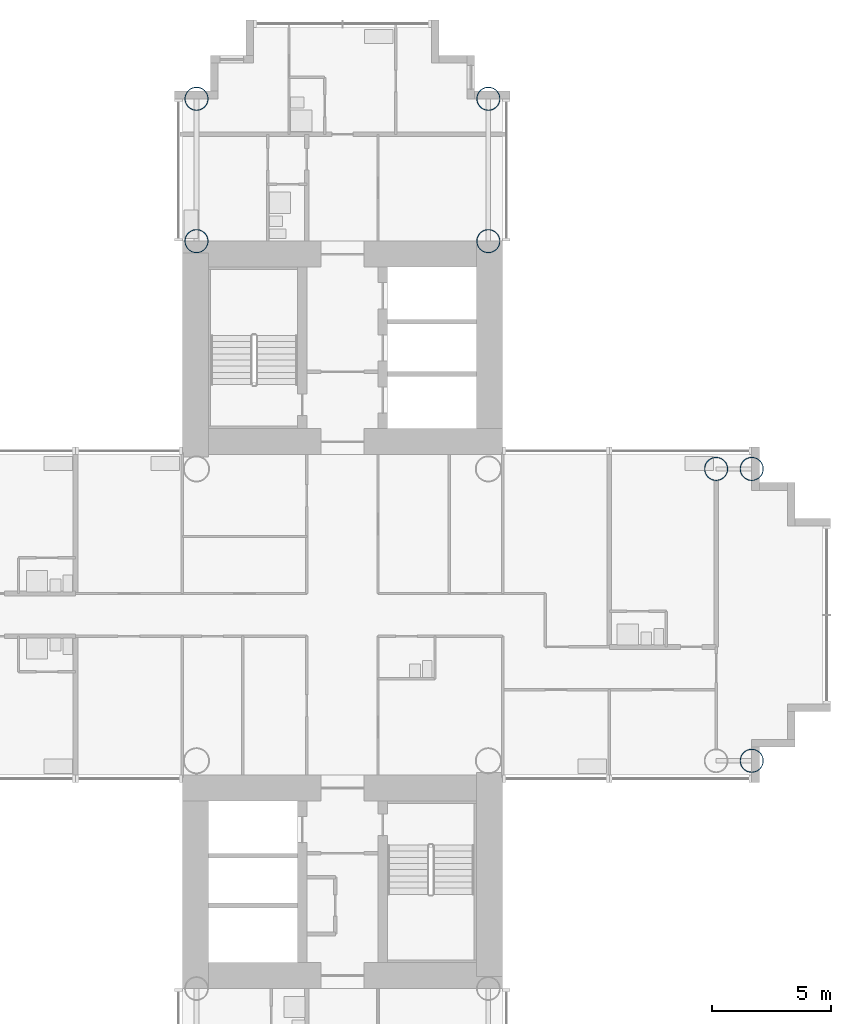
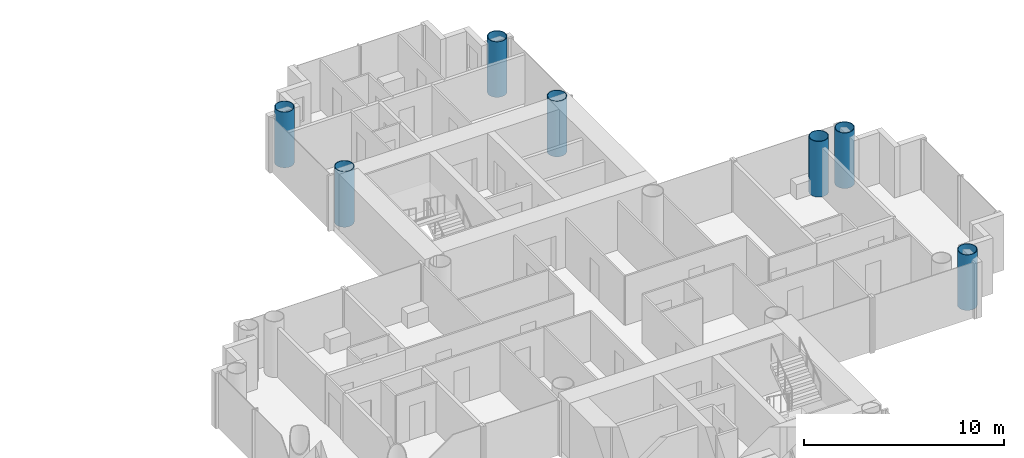
# One storey, part 2 of 21: 7 columns.
"""IFC4 building model written with IfcOpenShell, lengths in metres."""

from ifc_helpers import new_model, si_unit, direction, frame, origin, origin_2d, place, context, subcontext, project, spatial, hollow_circle, extrude, material, material_profile, profile_set, type_object, element, save


model = new_model("IFC4")

# Units and contexts
model_context = context("Model", 3, precision=1e-05, world=origin(), true_north=direction((0.0, 1.0)))
body_context = subcontext(model_context, "Body", "Model", "MODEL_VIEW")
ifc_project = project(units=[si_unit("LENGTHUNIT", "METRE"), si_unit("AREAUNIT", "SQUARE_METRE"), si_unit("VOLUMEUNIT", "CUBIC_METRE"), si_unit("PLANEANGLEUNIT", "RADIAN"), si_unit("MASSUNIT", "GRAM", prefix="KILO")], contexts=[model_context])

# Site, building, storey
site_placement = place(None, origin())
site = spatial("IfcSite", under=ifc_project, at=site_placement, CompositionType="ELEMENT")
building_placement = place(site_placement, origin())
building = spatial("IfcBuilding", under=site, at=building_placement, Name="Ipe Terrace Towers", CompositionType="ELEMENT")
storey_placement = place(building_placement, frame((0.0, 0.0, 34.699951171875)))
storey = spatial("IfcBuildingStorey", under=building, at=storey_placement, Name="L08", CompositionType="ELEMENT", Elevation=34.699951171875)

# Columns
ifc_material = material(Name="Steel S355 tube with Concrete C60/75 fill", Category="concrete")
ifc_material_profile = material_profile(ifc_material, hollow_circle(Radius=0.5, WallThickness=0.035888671875, at=origin_2d()), Name="CHS-1000x36")
ifc_profile_set = profile_set([ifc_material_profile], Name="Steel S355 tube with Concrete C60/75 fill")
column_type = type_object("IfcColumnType", Name="CH01 COLUMN CHS-1000x36", PredefinedType="COLUMN", material=ifc_profile_set)
for number, where, z_axis, x_axis, name in (
    (1, (42.14990234375, 15.75, 0.0), (0.0, 0.0, 1.0), (1.0, 0.0, 0.0), "Column T2-C-A01"),
    (2, (29.85009765625, 15.75, 0.0), (0.0, 0.0, 1.0), (1.0, 0.0, 0.0), "Column T2-C-A02"),
    (3, (42.14990234375, 21.75, 0.0), (0.0, 0.0, 1.0), (1.0, 0.0, 0.0), "Column T2-C-A03"),
    (4, (29.85009765625, 21.75, 0.0), (0.0, 0.0, 1.0), (1.0, 0.0, 0.0), "Column T2-C-A04"),
    (5, (51.75, 6.14990234375, 0.0), (0.0, 0.0, 1.0), (1.0, 0.0, 0.0), "Column T2-C-D04"),
    (6, (53.25, -6.14990234375, 0.0), (0.0, 0.0, 1.0), (1.0, 0.0, 0.0), "Column T2-C-D05"),
    (7, (53.25, 6.14990234375, 0.0), (0.0, 0.0, 1.0), (1.0, 0.0, 0.0), "Column T2-C-D06"),
):
    element("IfcColumn", number, at=place(storey_placement, frame(where, z_axis=z_axis, x_axis=x_axis)), inside=storey, type_object=column_type, Name=name, PredefinedType="COLUMN", context=body_context, shape_type="SweptSolid", body=[
        extrude(hollow_circle(Radius=0.5, WallThickness=0.035888671875, at=origin_2d()), origin(), (0.0, 0.0, 1.0), 3.400146484375),
    ])

save(model, "model.ifc")
